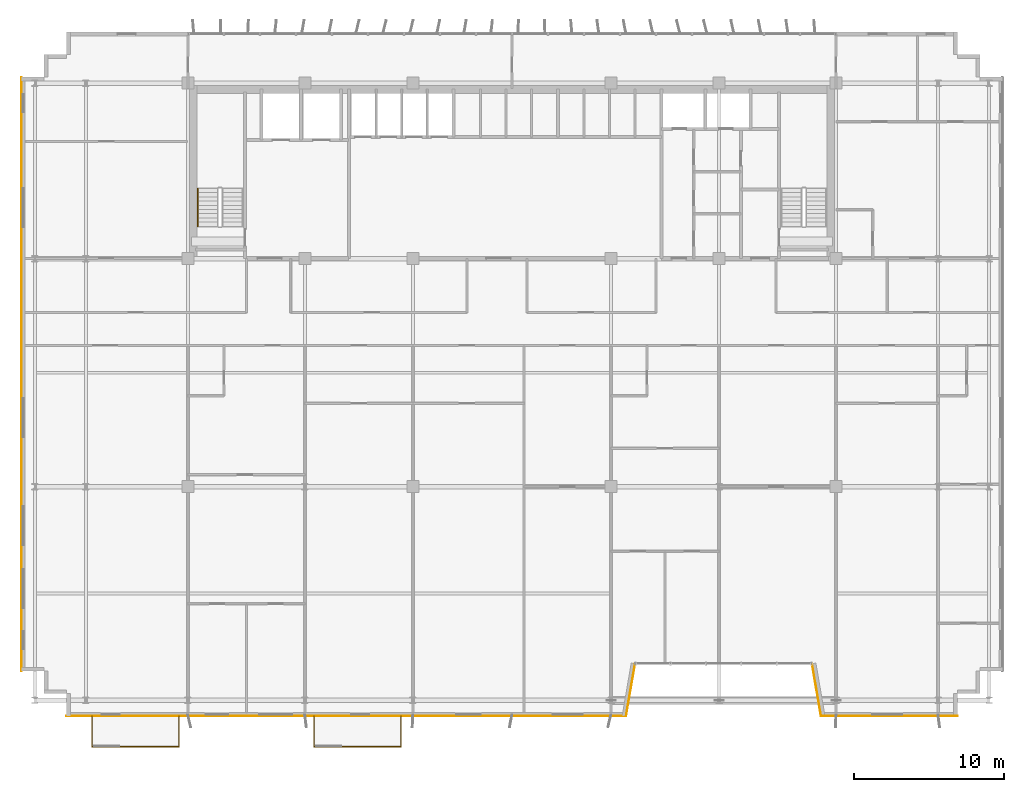
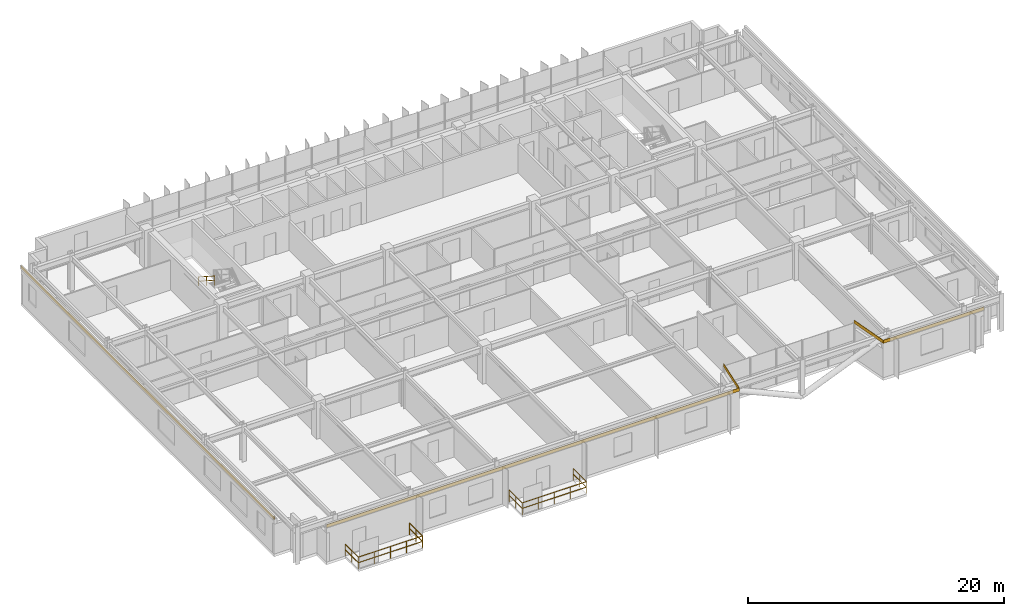
# One storey, part 24 of 26: 7 railings, 5 coverings.
"""IFC4 building model written with IfcOpenShell, lengths in metres."""

from ifc_helpers import new_model, si_unit, direction, frame, origin, origin_2d, place, context, subcontext, project, spatial, rectangle, extrude, source, transform, mapped, material, layer, layer_set, type_object, element, save


model = new_model("IFC4")

# Units and contexts
model_context = context("Model", 3, precision=1e-05, world=origin(), true_north=direction((0.0, 1.0)))
body_context = subcontext(model_context, "Body", "Model", "MODEL_VIEW")
ifc_project = project(units=[si_unit("LENGTHUNIT", "METRE"), si_unit("AREAUNIT", "SQUARE_METRE"), si_unit("VOLUMEUNIT", "CUBIC_METRE"), si_unit("PLANEANGLEUNIT", "RADIAN"), si_unit("MASSUNIT", "GRAM", prefix="KILO")], contexts=[model_context])

# Site, building, storey
site_placement = place(None, origin())
site = spatial("IfcSite", under=ifc_project, at=site_placement, CompositionType="ELEMENT")
building_placement = place(site_placement, origin())
building = spatial("IfcBuilding", under=site, at=building_placement, Name="Trelvane Seafront Commons", CompositionType="ELEMENT")
storey_placement = place(building_placement, frame((0.0, 0.0, 124.89990234375)))
storey = spatial("IfcBuildingStorey", under=building, at=storey_placement, Name="L32", CompositionType="ELEMENT", Elevation=124.89990234375)

# Railings
ifc_material_1 = material(Name="Stainless steel balustrade", Category="steel")
railing_type_1 = type_object("IfcRailingType", Name="ARCH-RAIL-BAL1150", PredefinedType="BALUSTRADE", material=ifc_material_1)
railing_1_placement = place(storey_placement, frame((9.199951171875, 2.89990234375, 0.0)))
element("IfcRailing", 1, at=railing_1_placement, inside=storey, type_object=railing_type_1, Name="RL-L32-BAL0-01", PredefinedType="BALUSTRADE", context=body_context, shape_type="SweptSolid", body=[
    extrude(rectangle(XDim=0.048095703125, YDim=0.048095703125, at=origin_2d()), frame((0.0, 0.0, 1.1259765625), z_axis=(0.0, -1.0, 0.0), x_axis=(1.0, 0.0, 0.0)), (0.0, 0.0, 1.0), 2.039794921875),
    extrude(rectangle(XDim=0.048095703125, YDim=0.048095703125, at=origin_2d()), frame((0.0, 0.0, 0.597900390625), z_axis=(0.0, -1.0, 0.0), x_axis=(1.0, 0.0, 0.0)), (0.0, 0.0, 1.0), 2.039794921875),
    extrude(rectangle(XDim=0.0419921875, YDim=0.0419921875, at=origin_2d()), origin(), (0.0, 0.0, 1.0), 1.1259765625),
    extrude(rectangle(XDim=0.0419921875, YDim=0.0419921875, at=origin_2d()), frame((0.0, -1.02001953125, 0.0)), (0.0, 0.0, 1.0), 1.1259765625),
    extrude(rectangle(XDim=0.0419921875, YDim=0.0419921875, at=origin_2d()), frame((0.0, -2.039794921875, 0.0)), (0.0, 0.0, 1.0), 1.1259765625),
])
railing_2_placement = place(storey_placement, frame((9.199951171875, 0.860107421875, 0.0)))
element("IfcRailing", 2, at=railing_2_placement, inside=storey, type_object=railing_type_1, Name="RL-L32-BAL0-02", PredefinedType="BALUSTRADE", context=body_context, shape_type="SweptSolid", body=[
    extrude(rectangle(XDim=0.048095703125, YDim=0.048095703125, at=origin_2d()), frame((0.0, 0.0, 1.1259765625), z_axis=(1.0, 0.0, 0.0), x_axis=(0.0, 1.0, 0.0)), (0.0, 0.0, 1.0), 5.800048828125),
    extrude(rectangle(XDim=0.048095703125, YDim=0.048095703125, at=origin_2d()), frame((0.0, 0.0, 0.597900390625), z_axis=(1.0, 0.0, 0.0), x_axis=(0.0, 1.0, 0.0)), (0.0, 0.0, 1.0), 5.800048828125),
    extrude(rectangle(XDim=0.0419921875, YDim=0.0419921875, at=origin_2d()), origin(), (0.0, 0.0, 1.0), 1.1259765625),
    extrude(rectangle(XDim=0.0419921875, YDim=0.0419921875, at=origin_2d()), frame((1.449951171875, 0.0, 0.0)), (0.0, 0.0, 1.0), 1.1259765625),
    extrude(rectangle(XDim=0.0419921875, YDim=0.0419921875, at=origin_2d()), frame((2.89990234375, 0.0, 0.0)), (0.0, 0.0, 1.0), 1.1259765625),
    extrude(rectangle(XDim=0.0419921875, YDim=0.0419921875, at=origin_2d()), frame((4.35009765625, 0.0, 0.0)), (0.0, 0.0, 1.0), 1.1259765625),
    extrude(rectangle(XDim=0.0419921875, YDim=0.0419921875, at=origin_2d()), frame((5.800048828125, 0.0, 0.0)), (0.0, 0.0, 1.0), 1.1259765625),
])
railing_3_placement = place(storey_placement, frame((15.0, 0.860107421875, 0.0)))
element("IfcRailing", 3, at=railing_3_placement, inside=storey, type_object=railing_type_1, Name="RL-L32-BAL0-03", PredefinedType="BALUSTRADE", context=body_context, shape_type="SweptSolid", body=[
    extrude(rectangle(XDim=0.048095703125, YDim=0.048095703125, at=origin_2d()), frame((0.0, 0.0, 1.1259765625), z_axis=(0.0, 1.0, 0.0), x_axis=(-1.0, 0.0, 0.0)), (0.0, 0.0, 1.0), 2.039794921875),
    extrude(rectangle(XDim=0.048095703125, YDim=0.048095703125, at=origin_2d()), frame((0.0, 0.0, 0.597900390625), z_axis=(0.0, 1.0, 0.0), x_axis=(-1.0, 0.0, 0.0)), (0.0, 0.0, 1.0), 2.039794921875),
    extrude(rectangle(XDim=0.0419921875, YDim=0.0419921875, at=origin_2d()), origin(), (0.0, 0.0, 1.0), 1.1259765625),
    extrude(rectangle(XDim=0.0419921875, YDim=0.0419921875, at=origin_2d()), frame((0.0, 1.02001953125, 0.0)), (0.0, 0.0, 1.0), 1.1259765625),
    extrude(rectangle(XDim=0.0419921875, YDim=0.0419921875, at=origin_2d()), frame((0.0, 2.039794921875, 0.0)), (0.0, 0.0, 1.0), 1.1259765625),
])
railing_4_placement = place(storey_placement, frame((24.0, 2.89990234375, 0.0)))
element("IfcRailing", 4, at=railing_4_placement, inside=storey, type_object=railing_type_1, Name="RL-L32-BAL1-01", PredefinedType="BALUSTRADE", context=body_context, shape_type="SweptSolid", body=[
    extrude(rectangle(XDim=0.048095703125, YDim=0.048095703125, at=origin_2d()), frame((0.0, 0.0, 1.1259765625), z_axis=(0.0, -1.0, 0.0), x_axis=(1.0, 0.0, 0.0)), (0.0, 0.0, 1.0), 2.039794921875),
    extrude(rectangle(XDim=0.048095703125, YDim=0.048095703125, at=origin_2d()), frame((0.0, 0.0, 0.597900390625), z_axis=(0.0, -1.0, 0.0), x_axis=(1.0, 0.0, 0.0)), (0.0, 0.0, 1.0), 2.039794921875),
    extrude(rectangle(XDim=0.0419921875, YDim=0.0419921875, at=origin_2d()), origin(), (0.0, 0.0, 1.0), 1.1259765625),
    extrude(rectangle(XDim=0.0419921875, YDim=0.0419921875, at=origin_2d()), frame((0.0, -1.02001953125, 0.0)), (0.0, 0.0, 1.0), 1.1259765625),
    extrude(rectangle(XDim=0.0419921875, YDim=0.0419921875, at=origin_2d()), frame((0.0, -2.039794921875, 0.0)), (0.0, 0.0, 1.0), 1.1259765625),
])
railing_5_placement = place(storey_placement, frame((24.0, 0.860107421875, 0.0)))
element("IfcRailing", 5, at=railing_5_placement, inside=storey, type_object=railing_type_1, Name="RL-L32-BAL1-02", PredefinedType="BALUSTRADE", context=body_context, shape_type="SweptSolid", body=[
    extrude(rectangle(XDim=0.048095703125, YDim=0.048095703125, at=origin_2d()), frame((0.0, 0.0, 1.1259765625), z_axis=(1.0, 0.0, 0.0), x_axis=(0.0, 1.0, 0.0)), (0.0, 0.0, 1.0), 5.800048828125),
    extrude(rectangle(XDim=0.048095703125, YDim=0.048095703125, at=origin_2d()), frame((0.0, 0.0, 0.597900390625), z_axis=(1.0, 0.0, 0.0), x_axis=(0.0, 1.0, 0.0)), (0.0, 0.0, 1.0), 5.800048828125),
    extrude(rectangle(XDim=0.0419921875, YDim=0.0419921875, at=origin_2d()), origin(), (0.0, 0.0, 1.0), 1.1259765625),
    extrude(rectangle(XDim=0.0419921875, YDim=0.0419921875, at=origin_2d()), frame((1.449951171875, 0.0, 0.0)), (0.0, 0.0, 1.0), 1.1259765625),
    extrude(rectangle(XDim=0.0419921875, YDim=0.0419921875, at=origin_2d()), frame((2.89990234375, 0.0, 0.0)), (0.0, 0.0, 1.0), 1.1259765625),
    extrude(rectangle(XDim=0.0419921875, YDim=0.0419921875, at=origin_2d()), frame((4.35009765625, 0.0, 0.0)), (0.0, 0.0, 1.0), 1.1259765625),
    extrude(rectangle(XDim=0.0419921875, YDim=0.0419921875, at=origin_2d()), frame((5.800048828125, 0.0, 0.0)), (0.0, 0.0, 1.0), 1.1259765625),
])
railing_6_placement = place(storey_placement, frame((29.800048828125, 0.860107421875, 0.0)))
element("IfcRailing", 6, at=railing_6_placement, inside=storey, type_object=railing_type_1, Name="RL-L32-BAL1-03", PredefinedType="BALUSTRADE", context=body_context, shape_type="SweptSolid", body=[
    extrude(rectangle(XDim=0.048095703125, YDim=0.048095703125, at=origin_2d()), frame((0.0, 0.0, 1.1259765625), z_axis=(0.0, 1.0, 0.0), x_axis=(-1.0, 0.0, 0.0)), (0.0, 0.0, 1.0), 2.039794921875),
    extrude(rectangle(XDim=0.048095703125, YDim=0.048095703125, at=origin_2d()), frame((0.0, 0.0, 0.597900390625), z_axis=(0.0, 1.0, 0.0), x_axis=(-1.0, 0.0, 0.0)), (0.0, 0.0, 1.0), 2.039794921875),
    extrude(rectangle(XDim=0.0419921875, YDim=0.0419921875, at=origin_2d()), origin(), (0.0, 0.0, 1.0), 1.1259765625),
    extrude(rectangle(XDim=0.0419921875, YDim=0.0419921875, at=origin_2d()), frame((0.0, 1.02001953125, 0.0)), (0.0, 0.0, 1.0), 1.1259765625),
    extrude(rectangle(XDim=0.0419921875, YDim=0.0419921875, at=origin_2d()), frame((0.0, 2.039794921875, 0.0)), (0.0, 0.0, 1.0), 1.1259765625),
])
railing_type_2 = type_object("IfcRailingType", Name="ARCH-SRL-HAND", PredefinedType="HANDRAIL", material=ifc_material_1)
railing_7_placement = place(storey_placement, frame((16.25, 38.070068359375, 1.97998046875)))
element("IfcRailing", 7, at=railing_7_placement, inside=storey, type_object=railing_type_2, Name="L32 ST-1 stair handrail 2", PredefinedType="HANDRAIL", context=body_context, shape_type="SweptSolid", body=[
    extrude(rectangle(XDim=0.048095703125, YDim=0.048095703125, at=origin_2d()), frame((0.0, 0.0, 0.8759765625), z_axis=(0.0, -0.841162588446, 0.540782303519), x_axis=(1.0, 0.0, 0.0)), (0.0, 0.0, 1.0), 2.995849609375),
    extrude(rectangle(XDim=0.048095703125, YDim=0.048095703125, at=origin_2d()), frame((0.0, 0.0, 0.468017578125), z_axis=(0.0, -0.841162588446, 0.540782303519), x_axis=(1.0, 0.0, 0.0)), (0.0, 0.0, 1.0), 2.995849609375),
    extrude(rectangle(XDim=0.0419921875, YDim=0.0419921875, at=origin_2d()), origin(), (0.0, 0.0, 1.0), 0.8759765625),
    extrude(rectangle(XDim=0.0419921875, YDim=0.0419921875, at=origin_2d()), frame((0.0, -1.260009765625, 0.81005859375)), (0.0, 0.0, 1.0), 0.8759765625),
    extrude(rectangle(XDim=0.0419921875, YDim=0.0419921875, at=origin_2d()), frame((0.0, -2.52001953125, 1.6201171875)), (0.0, 0.0, 1.0), 0.8759765625),
])

# Coverings
ifc_material_2 = material(Name="Anodised pale-silver aluminium", Category="aluminium")
ifc_layer = layer(ifc_material_2, 0.034912109375, Name="ARCH-COV-CLAD35")
ifc_layer_set = layer_set([ifc_layer], Name="Anodised pale-silver aluminium")
covering_type = type_object("IfcCoveringType", Name="ARCH-COV-CLAD35", PredefinedType="CLADDING", material=ifc_layer_set)
shared_shape_1 = source(origin(), body_context, "Body", "SweptSolid", [
    extrude(rectangle(XDim=39.60009765625, YDim=0.034912109375, at=origin_2d()), origin(), (0.0, 0.0, 1.0), 0.300048828125),
])
covering_1_placement = place(storey_placement, frame((4.5, 25.699951171875, 3.30029296875), z_axis=(0.0, 0.0, 1.0), x_axis=(0.0, 1.0, 0.0)))
element("IfcCovering", 8, at=covering_1_placement, inside=storey, type_object=covering_type, Name="CLD-L32-00131", PredefinedType="CLADDING", context=body_context, shape_type="MappedRepresentation", body=[
    mapped(shared_shape_1, transform((0.0, 0.0, 0.0), x_axis=(1.0, 0.0, 0.0), y_axis=(0.0, 1.0, 0.0), z_axis=(0.0, 0.0, 1.0), scale=1.0)),
])
shared_shape_2 = source(origin(), body_context, "Body", "SweptSolid", [
    extrude(rectangle(XDim=37.300048828125, YDim=0.034912109375, at=origin_2d()), origin(), (0.0, 0.0, 1.0), 0.300048828125),
])
covering_2_placement = place(storey_placement, frame((26.14990234375, 2.89990234375, 3.30029296875), z_axis=(0.0, 0.0, 1.0), x_axis=(-1.0, 0.0, 0.0)))
element("IfcCovering", 9, at=covering_2_placement, inside=storey, type_object=covering_type, Name="CLD-L32-00136", PredefinedType="CLADDING", context=body_context, shape_type="MappedRepresentation", body=[
    mapped(shared_shape_2, transform((0.0, 0.0, 0.0), x_axis=(1.0, 0.0, 0.0), y_axis=(0.0, 1.0, 0.0), z_axis=(0.0, 0.0, 1.0), scale=1.0)),
])
shared_shape_3 = source(origin(), body_context, "Body", "SweptSolid", [
    extrude(rectangle(XDim=3.551025390625, YDim=0.034912109375, at=origin_2d()), origin(), (0.0, 0.0, 1.0), 0.300048828125),
])
for number, where, z_axis, x_axis, name in (
    (10, (57.5, 4.64990234375, 3.30029296875), (0.0, 0.0, 1.0), (-0.168964184077, 0.985622191562, 0.0), "CLD-L32-00134"),
    (11, (45.10009765625, 4.64990234375, 3.30029296875), (0.0, 0.0, 1.0), (-0.168964184077, -0.985622191562, 0.0), "CLD-L32-00135"),
):
    element("IfcCovering", number, at=place(storey_placement, frame(where, z_axis=z_axis, x_axis=x_axis)), inside=storey, type_object=covering_type, Name=name, PredefinedType="CLADDING", context=body_context, shape_type="MappedRepresentation", body=[
        mapped(shared_shape_3, transform((0.0, 0.0, 0.0), x_axis=(1.0, 0.0, 0.0), y_axis=(0.0, 1.0, 0.0), z_axis=(0.0, 0.0, 1.0), scale=1.0)),
    ])
shared_shape_4 = source(origin(), body_context, "Body", "SweptSolid", [
    extrude(rectangle(XDim=9.10009765625, YDim=0.034912109375, at=origin_2d()), origin(), (0.0, 0.0, 1.0), 0.300048828125),
])
covering_3_placement = place(storey_placement, frame((62.35009765625, 2.89990234375, 3.30029296875), z_axis=(0.0, 0.0, 1.0), x_axis=(-1.0, 0.0, 0.0)))
element("IfcCovering", 12, at=covering_3_placement, inside=storey, type_object=covering_type, Name="CLD-L32-00133", PredefinedType="CLADDING", context=body_context, shape_type="MappedRepresentation", body=[
    mapped(shared_shape_4, transform((0.0, 0.0, 0.0), x_axis=(1.0, 0.0, 0.0), y_axis=(0.0, 1.0, 0.0), z_axis=(0.0, 0.0, 1.0), scale=1.0)),
])

save(model, "model.ifc")
